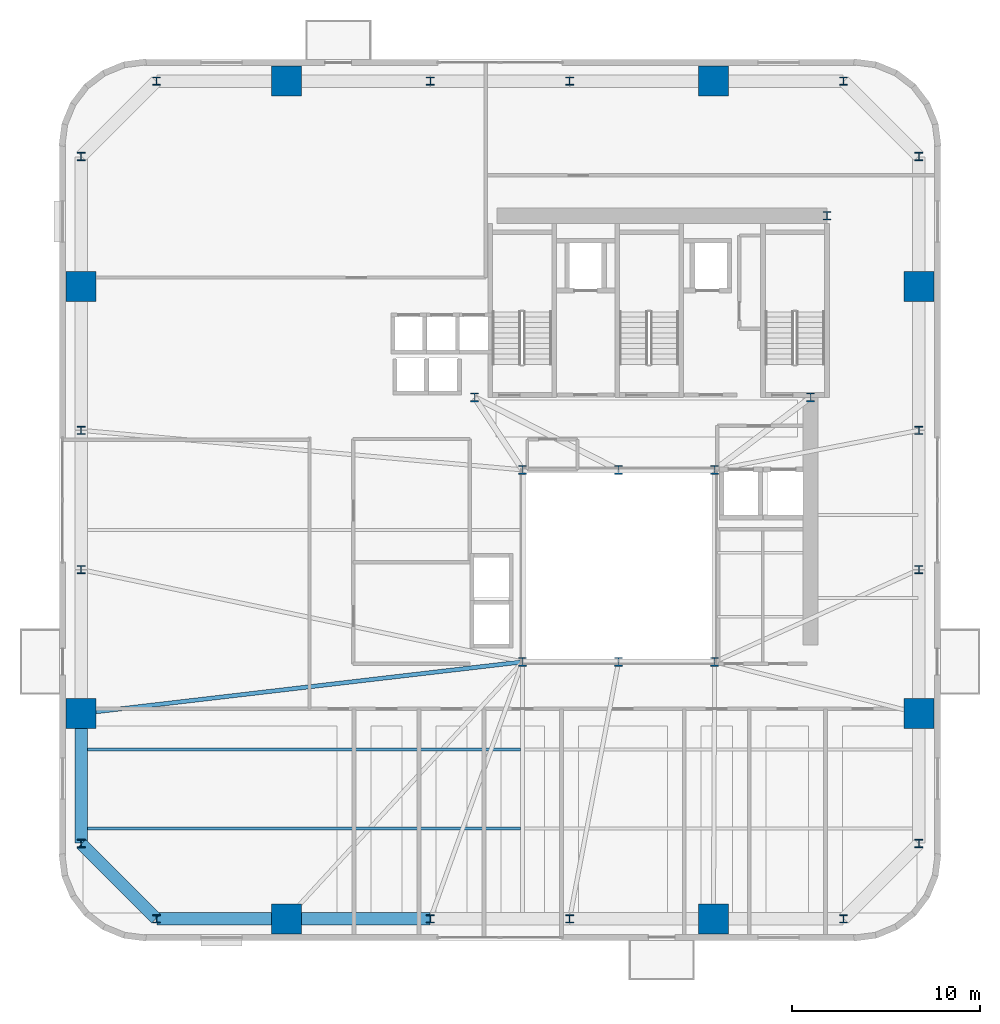
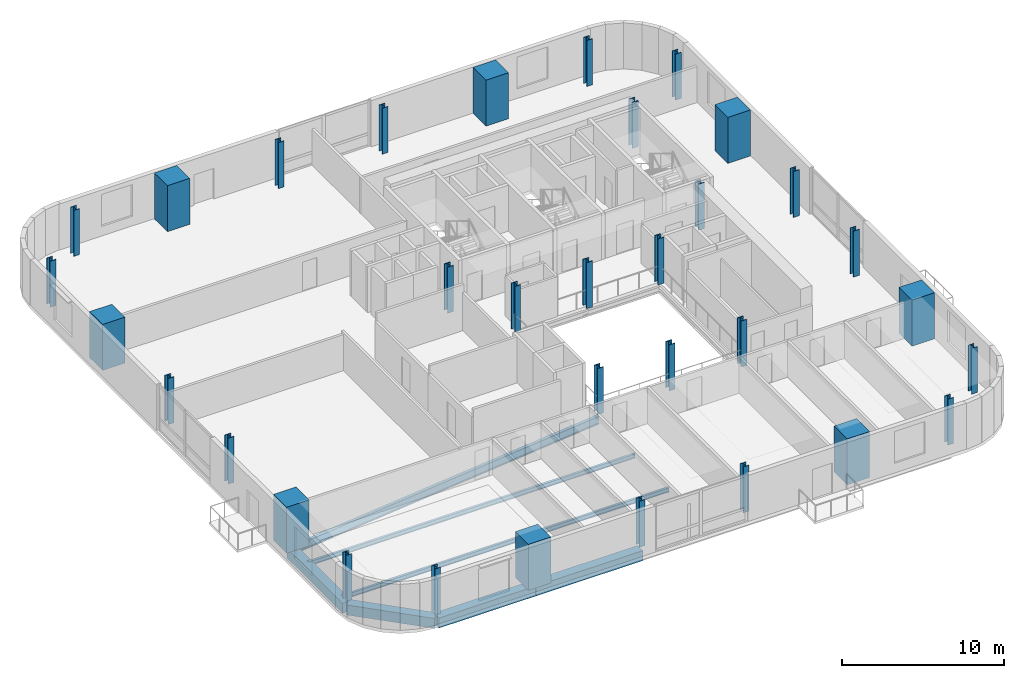
# One storey, part 1 of 14: 33 columns, 7 beams.
"""IFC4 building model written with IfcOpenShell, lengths in metres."""

from ifc_helpers import new_model, si_unit, direction, frame, origin, origin_2d, place, context, subcontext, project, spatial, rectangle, i_section, extrude, source, transform, mapped, material, material_profile, profile_set, type_object, element, save


model = new_model("IFC4")

# Units and contexts
model_context = context("Model", 3, precision=1e-05, world=origin(), true_north=direction((0.0, 1.0)))
body_context = subcontext(model_context, "Body", "Model", "MODEL_VIEW")
ifc_project = project(units=[si_unit("LENGTHUNIT", "METRE"), si_unit("AREAUNIT", "SQUARE_METRE"), si_unit("VOLUMEUNIT", "CUBIC_METRE"), si_unit("PLANEANGLEUNIT", "RADIAN"), si_unit("MASSUNIT", "GRAM", prefix="KILO")], contexts=[model_context])

# Site, building, storey
site_placement = place(None, origin())
site = spatial("IfcSite", under=ifc_project, at=site_placement, CompositionType="ELEMENT")
building_placement = place(site_placement, origin())
building = spatial("IfcBuilding", under=site, at=building_placement, Name="Vardaveli Station Tower", CompositionType="ELEMENT")
storey_placement = place(building_placement, frame((0.0, 0.0, 122.39990234375)))
storey = spatial("IfcBuildingStorey", under=building, at=storey_placement, Name="L31", CompositionType="ELEMENT", Elevation=122.39990234375)

# Columns
ifc_material_1 = material(Name="Structural steel S460M", Category="steel")
ifc_material_profile_1 = material_profile(ifc_material_1, i_section(OverallWidth=0.424072265625, OverallDepth=0.465087890625, WebThickness=0.034912109375, FlangeThickness=0.055908203125, FilletRadius=0.014892578125, at=origin_2d()), Name="HD 400x592")
ifc_profile_set_1 = profile_set([ifc_material_profile_1], Name="Structural steel S460M")
column_type_1 = type_object("IfcColumnType", Name="COL-HD592", PredefinedType="COLUMN", material=ifc_profile_set_1)
shared_shape_1 = source(origin(), body_context, "Body", "SweptSolid", [
    extrude(i_section(OverallWidth=0.424072265625, OverallDepth=0.465087890625, WebThickness=0.034912109375, FlangeThickness=0.055908203125, FilletRadius=0.014892578125, at=origin_2d()), origin(), (0.0, 0.0, 1.0), 3.460205078125),
])
for number, where, z_axis, x_axis, name in (
    (1, (31.199951171875, 16.60009765625, 0.0), (0.0, 0.0, 1.0), (1.0, 0.0, 0.0), "COL-L31-AC1"),
    (2, (36.300048828125, 16.60009765625, 0.0), (0.0, 0.0, 1.0), (1.0, 0.0, 0.0), "COL-L31-AC2"),
    (3, (41.39990234375, 16.60009765625, 0.0), (0.0, 0.0, 1.0), (1.0, 0.0, 0.0), "COL-L31-AC3"),
    (4, (41.39990234375, 26.800048828125, 0.0), (0.0, 0.0, 1.0), (1.0, 0.0, 0.0), "COL-L31-AC4"),
    (5, (36.300048828125, 26.800048828125, 0.0), (0.0, 0.0, 1.0), (1.0, 0.0, 0.0), "COL-L31-AC5"),
    (6, (31.199951171875, 26.800048828125, 0.0), (0.0, 0.0, 1.0), (1.0, 0.0, 0.0), "COL-L31-AC6"),
    (7, (28.64990234375, 30.64990234375, 0.0), (0.0, 0.0, 1.0), (1.0, 0.0, 0.0), "COL-L31-CC1"),
    (8, (46.5, 30.64990234375, 0.0), (0.0, 0.0, 1.0), (1.0, 0.0, 0.0), "COL-L31-CC2"),
    (9, (47.3701171875, 40.300048828125, 0.0), (0.0, 0.0, 1.0), (1.0, 0.0, 0.0), "COL-L31-CC3"),
):
    element("IfcColumn", number, at=place(storey_placement, frame(where, z_axis=z_axis, x_axis=x_axis)), inside=storey, type_object=column_type_1, Name=name, PredefinedType="COLUMN", context=body_context, shape_type="MappedRepresentation", body=[
        mapped(shared_shape_1, transform((0.0, 0.0, 0.0), scale=1.0)),
    ])
ifc_material_2 = material(Name="Concrete C60/75", Category="concrete")
ifc_material_profile_2 = material_profile(ifc_material_2, rectangle(XDim=1.60009765625, YDim=1.60009765625, at=origin_2d()), Name="MC 1600x1600")
ifc_profile_set_2 = profile_set([ifc_material_profile_2], Name="Concrete C60/75")
column_type_2 = type_object("IfcColumnType", Name="COL-MC-1600", PredefinedType="COLUMN", material=ifc_profile_set_2)
shared_shape_2 = source(origin(), body_context, "Body", "SweptSolid", [
    extrude(rectangle(XDim=1.60009765625, YDim=1.60009765625, at=origin_2d()), origin(), (0.0, 0.0, 1.0), 3.460205078125),
])
for number, where, z_axis, x_axis, name in (
    (10, (18.659912109375, 2.949951171875, 0.0), (0.0, 0.0, 1.0), (1.0, 0.0, 0.0), "COL-L31-MC1"),
    (11, (41.340087890625, 2.949951171875, 0.0), (0.0, 0.0, 1.0), (1.0, 0.0, 0.0), "COL-L31-MC2"),
    (12, (52.25, 13.860107421875, 0.0), (0.0, 0.0, 1.0), (1.0, 0.0, 0.0), "COL-L31-MC3"),
    (13, (52.25, 36.5400390625, 0.0), (0.0, 0.0, 1.0), (1.0, 0.0, 0.0), "COL-L31-MC4"),
    (14, (41.340087890625, 47.449951171875, 0.0), (0.0, 0.0, 1.0), (1.0, 0.0, 0.0), "COL-L31-MC5"),
    (15, (18.659912109375, 47.449951171875, 0.0), (0.0, 0.0, 1.0), (1.0, 0.0, 0.0), "COL-L31-MC6"),
    (16, (7.75, 36.5400390625, 0.0), (0.0, 0.0, 1.0), (1.0, 0.0, 0.0), "COL-L31-MC7"),
    (17, (7.75, 13.860107421875, 0.0), (0.0, 0.0, 1.0), (1.0, 0.0, 0.0), "COL-L31-MC8"),
):
    element("IfcColumn", number, at=place(storey_placement, frame(where, z_axis=z_axis, x_axis=x_axis)), inside=storey, type_object=column_type_2, Name=name, PredefinedType="COLUMN", context=body_context, shape_type="MappedRepresentation", body=[
        mapped(shared_shape_2, transform((0.0, 0.0, 0.0), scale=1.0)),
    ])
ifc_material_profile_3 = material_profile(ifc_material_1, i_section(OverallWidth=0.4140625, OverallDepth=0.431884765625, WebThickness=0.025634765625, FlangeThickness=0.0400390625, FilletRadius=0.014892578125, at=origin_2d()), Name="HD 400x421")
ifc_profile_set_3 = profile_set([ifc_material_profile_3], Name="Structural steel S460M")
column_type_3 = type_object("IfcColumnType", Name="COL-HD421", PredefinedType="COLUMN", material=ifc_profile_set_3)
shared_shape_3 = source(origin(), body_context, "Body", "SweptSolid", [
    extrude(i_section(OverallWidth=0.4140625, OverallDepth=0.431884765625, WebThickness=0.025634765625, FlangeThickness=0.0400390625, FilletRadius=0.014892578125, at=origin_2d()), origin(), (0.0, 0.0, 1.0), 3.460205078125),
])
for number, where, z_axis, x_axis, name in (
    (18, (11.75, 2.949951171875, 0.0), (0.0, 0.0, 1.0), (1.0, 0.0, 0.0), "COL-L31-PC01"),
    (19, (26.300048828125, 2.949951171875, 0.0), (0.0, 0.0, 1.0), (1.0, 0.0, 0.0), "COL-L31-PC02"),
    (20, (33.699951171875, 2.949951171875, 0.0), (0.0, 0.0, 1.0), (1.0, 0.0, 0.0), "COL-L31-PC03"),
    (21, (48.25, 2.949951171875, 0.0), (0.0, 0.0, 1.0), (1.0, 0.0, 0.0), "COL-L31-PC04"),
    (22, (52.25, 6.949951171875, 0.0), (0.0, 0.0, 1.0), (1.0, 0.0, 0.0), "COL-L31-PC05"),
    (23, (52.25, 21.5, 0.0), (0.0, 0.0, 1.0), (1.0, 0.0, 0.0), "COL-L31-PC06"),
    (24, (52.25, 28.89990234375, 0.0), (0.0, 0.0, 1.0), (1.0, 0.0, 0.0), "COL-L31-PC07"),
    (25, (52.25, 43.449951171875, 0.0), (0.0, 0.0, 1.0), (1.0, 0.0, 0.0), "COL-L31-PC08"),
    (26, (48.25, 47.449951171875, 0.0), (0.0, 0.0, 1.0), (1.0, 0.0, 0.0), "COL-L31-PC09"),
    (27, (33.699951171875, 47.449951171875, 0.0), (0.0, 0.0, 1.0), (1.0, 0.0, 0.0), "COL-L31-PC10"),
    (28, (26.300048828125, 47.449951171875, 0.0), (0.0, 0.0, 1.0), (1.0, 0.0, 0.0), "COL-L31-PC11"),
    (29, (11.75, 47.449951171875, 0.0), (0.0, 0.0, 1.0), (1.0, 0.0, 0.0), "COL-L31-PC12"),
    (30, (7.75, 43.449951171875, 0.0), (0.0, 0.0, 1.0), (1.0, 0.0, 0.0), "COL-L31-PC13"),
    (31, (7.75, 28.89990234375, 0.0), (0.0, 0.0, 1.0), (1.0, 0.0, 0.0), "COL-L31-PC14"),
    (32, (7.75, 21.5, 0.0), (0.0, 0.0, 1.0), (1.0, 0.0, 0.0), "COL-L31-PC15"),
    (33, (7.75, 6.949951171875, 0.0), (0.0, 0.0, 1.0), (1.0, 0.0, 0.0), "COL-L31-PC16"),
):
    element("IfcColumn", number, at=place(storey_placement, frame(where, z_axis=z_axis, x_axis=x_axis)), inside=storey, type_object=column_type_3, Name=name, PredefinedType="COLUMN", context=body_context, shape_type="MappedRepresentation", body=[
        mapped(shared_shape_3, transform((0.0, 0.0, 0.0), scale=1.0)),
    ])

# Beams
ifc_material_3 = material(Name="Precast concrete C45/55", Category="concrete")
ifc_material_profile_4 = material_profile(ifc_material_3, rectangle(XDim=0.64990234375, YDim=0.75, at=origin_2d()), Name="LPB 650x750")
ifc_profile_set_4 = profile_set([ifc_material_profile_4], Name="Precast concrete C45/55")
beam_type_1 = type_object("IfcBeamType", Name="BM-LPB-750", PredefinedType="BEAM", material=ifc_profile_set_4)
shared_shape_4 = source(origin(), body_context, "Body", "SweptSolid", [
    extrude(rectangle(XDim=0.64990234375, YDim=0.75, at=origin_2d()), origin(), (0.0, 0.0, 1.0), 7.60009765625),
])
beam_1_placement = place(storey_placement, frame((18.679931640625, 2.949951171875, -0.614990234375), z_axis=(1.0, 0.0, 0.0), x_axis=(0.0, 1.0, 0.0)))
element("IfcBeam", 34, at=beam_1_placement, inside=storey, type_object=beam_type_1, Name="RBM-L31-01", PredefinedType="BEAM", context=body_context, shape_type="MappedRepresentation", body=[
    mapped(shared_shape_4, transform((0.0, 0.0, 0.0), scale=1.0)),
])
shared_shape_5 = source(origin(), body_context, "Body", "SweptSolid", [
    extrude(rectangle(XDim=0.64990234375, YDim=0.75, at=origin_2d()), origin(), (0.0, 0.0, 1.0), 6.869873046875),
])
beam_2_placement = place(storey_placement, frame((11.77001953125, 2.949951171875, -0.614990234375), z_axis=(1.0, 0.0, 0.0), x_axis=(0.0, 1.0, 0.0)))
element("IfcBeam", 35, at=beam_2_placement, inside=storey, type_object=beam_type_1, Name="RBM-L31-24", PredefinedType="BEAM", context=body_context, shape_type="MappedRepresentation", body=[
    mapped(shared_shape_5, transform((0.0, 0.0, 0.0), scale=1.0)),
])
shared_shape_6 = source(origin(), body_context, "Body", "SweptSolid", [
    extrude(rectangle(XDim=0.64990234375, YDim=0.75, at=origin_2d()), origin(), (0.0, 0.0, 1.0), 5.61669921875),
])
beam_3_placement = place(storey_placement, frame((7.76416015625, 6.935791015625, -0.614990234375), z_axis=(0.707106781187, -0.707106781187, 0.0), x_axis=(0.707106781187, 0.707106781187, 0.0)))
element("IfcBeam", 36, at=beam_3_placement, inside=storey, type_object=beam_type_1, Name="RBM-L31-23", PredefinedType="BEAM", context=body_context, shape_type="MappedRepresentation", body=[
    mapped(shared_shape_6, transform((0.0, 0.0, 0.0), scale=1.0)),
])
shared_shape_7 = source(origin(), body_context, "Body", "SweptSolid", [
    extrude(rectangle(XDim=0.64990234375, YDim=0.75, at=origin_2d()), origin(), (0.0, 0.0, 1.0), 6.8701171875),
])
beam_4_placement = place(storey_placement, frame((7.75, 13.840087890625, -0.614990234375), z_axis=(0.0, -1.0, 0.0), x_axis=(1.0, 0.0, 0.0)))
element("IfcBeam", 37, at=beam_4_placement, inside=storey, type_object=beam_type_1, Name="RBM-L31-22", PredefinedType="BEAM", context=body_context, shape_type="MappedRepresentation", body=[
    mapped(shared_shape_7, transform((0.0, 0.0, 0.0), scale=1.0)),
])
ifc_material_4 = material(Name="Structural steel S355J2", Category="steel")
ifc_material_profile_5 = material_profile(ifc_material_4, i_section(OverallWidth=0.159912109375, OverallDepth=0.330078125, WebThickness=0.007568359375, FlangeThickness=0.011474609375, FilletRadius=0.01806640625, at=origin_2d()), Name="IPE 330")
ifc_profile_set_5 = profile_set([ifc_material_profile_5], Name="Structural steel S355J2")
beam_type_2 = type_object("IfcBeamType", Name="BM-IPE330", PredefinedType="JOIST", material=ifc_profile_set_5)
shared_shape_8 = source(origin(), body_context, "Body", "SweptSolid", [
    extrude(i_section(OverallWidth=0.159912109375, OverallDepth=0.330078125, WebThickness=0.007568359375, FlangeThickness=0.011474609375, FilletRadius=0.01806640625, at=origin_2d()), origin(), (0.0, 0.0, 1.0), 23.2978515625),
])
for number, where, z_axis, x_axis, name in (
    (38, (7.7900390625, 7.75, -0.40478515625), (1.0, 0.0, 0.0), (0.0, 1.0, 0.0), "SJ-L31-S01"),
    (39, (7.7900390625, 11.949951171875, -0.40478515625), (1.0, 0.0, 0.0), (0.0, 1.0, 0.0), "SJ-L31-S03"),
):
    element("IfcBeam", number, at=place(storey_placement, frame(where, z_axis=z_axis, x_axis=x_axis)), inside=storey, type_object=beam_type_2, Name=name, PredefinedType="JOIST", context=body_context, shape_type="MappedRepresentation", body=[
        mapped(shared_shape_8, transform((0.0, 0.0, 0.0), scale=1.0)),
    ])
ifc_material_profile_6 = material_profile(ifc_material_4, i_section(OverallWidth=0.219970703125, OverallDepth=0.60009765625, WebThickness=0.011962890625, FlangeThickness=0.01904296875, FilletRadius=0.02392578125, at=origin_2d()), Name="IPE 600")
ifc_profile_set_6 = profile_set([ifc_material_profile_6], Name="Structural steel S355J2")
beam_type_3 = type_object("IfcBeamType", Name="BM-IPE600", PredefinedType="BEAM", material=ifc_profile_set_6)
shared_shape_9 = source(origin(), body_context, "Body", "SweptSolid", [
    extrude(i_section(OverallWidth=0.219970703125, OverallDepth=0.60009765625, WebThickness=0.011962890625, FlangeThickness=0.01904296875, FilletRadius=0.02392578125, at=origin_2d()), origin(), (0.0, 0.0, 1.0), 23.569580078125),
])
beam_5_placement = place(storey_placement, frame((7.769775390625, 13.8623046875, -0.539794921875), z_axis=(0.993242915589, 0.11605391261, 0.0), x_axis=(-0.11605391261, 0.993242915589, 0.0)))
element("IfcBeam", 40, at=beam_5_placement, inside=storey, type_object=beam_type_3, Name="GBM-L31-10", PredefinedType="BEAM", context=body_context, shape_type="MappedRepresentation", body=[
    mapped(shared_shape_9, transform((0.0, 0.0, 0.0), scale=1.0)),
])

save(model, "model.ifc")
